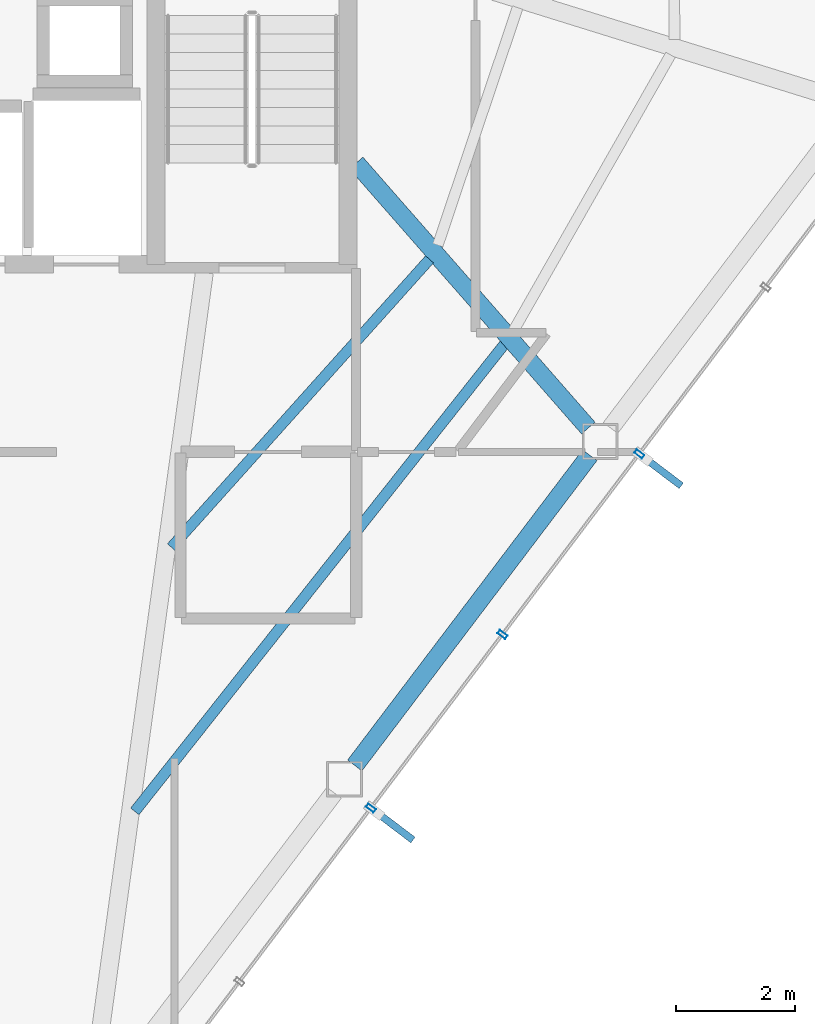
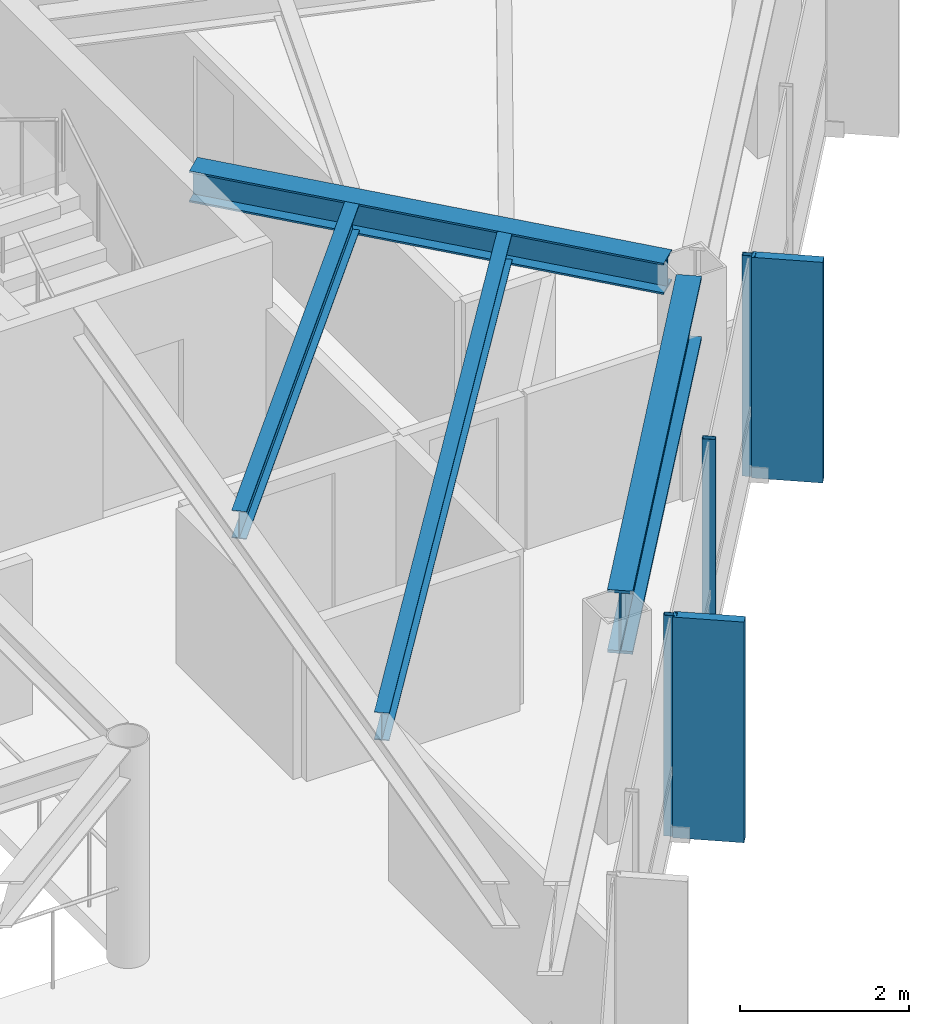
# One storey, part 17 of 27: 5 members, 4 beams, 1 element without a shape of its own.
"""IFC4 building model written with IfcOpenShell, lengths in metres."""

from ifc_helpers import new_model, si_unit, direction, frame, origin, origin_2d, place, context, subcontext, project, spatial, rectangle, hollow_rectangle, i_section, extrude, material, layer, layer_set, material_profile, profile_set, type_object, element, aggregate, save


model = new_model("IFC4")

# Units and contexts
model_context = context("Model", 3, precision=1e-05, world=origin(), true_north=direction((0.0, 1.0)))
body_context = subcontext(model_context, "Body", "Model", "MODEL_VIEW")
ifc_project = project(units=[si_unit("LENGTHUNIT", "METRE"), si_unit("AREAUNIT", "SQUARE_METRE"), si_unit("VOLUMEUNIT", "CUBIC_METRE"), si_unit("PLANEANGLEUNIT", "RADIAN"), si_unit("MASSUNIT", "GRAM", prefix="KILO")], contexts=[model_context])

# Site, building, storey
site_placement = place(None, origin())
site = spatial("IfcSite", under=ifc_project, at=site_placement, CompositionType="ELEMENT")
building_placement = place(site_placement, origin())
building = spatial("IfcBuilding", under=site, at=building_placement, Name="Zarrinselat Tower", CompositionType="ELEMENT")
storey_placement = place(building_placement, frame((0.0, 0.0, 229.159912109375)))
storey = spatial("IfcBuildingStorey", under=building, at=storey_placement, Name="L57", CompositionType="ELEMENT", Elevation=229.159912109375)

# Beams
ifc_material_1 = material(Name="Steel S355J2", Category="steel")
ifc_material_profile_1 = material_profile(ifc_material_1, i_section(OverallWidth=0.300048828125, OverallDepth=0.449951171875, WebThickness=0.013916015625, FlangeThickness=0.02587890625, at=origin_2d()), Name="HEB 450")
ifc_profile_set_1 = profile_set([ifc_material_profile_1], Name="Steel S355J2")
beam_type_1 = type_object("IfcBeamType", Name="BM-HEB450", PredefinedType="BEAM", material=ifc_profile_set_1)
beam_1_placement = place(storey_placement, frame((48.35009765625, 35.0, 2.955078125), z_axis=(0.658866826236, -0.752259599663, 0.0), x_axis=(0.752259599663, 0.658866826236, 0.0)))
element("IfcBeam", 1, at=beam_1_placement, inside=storey, type_object=beam_type_1, Name="L57 Radial Primary Girder RG13", PredefinedType="BEAM", context=body_context, shape_type="SweptSolid", body=[
    extrude(i_section(OverallWidth=0.300048828125, OverallDepth=0.449951171875, WebThickness=0.013916015625, FlangeThickness=0.02587890625, at=origin_2d()), origin(), (0.0, 0.0, 1.0), 5.915771484375),
])
ifc_material_2 = material(Name="Steel S460M", Category="steel")
ifc_material_profile_2 = material_profile(ifc_material_2, i_section(OverallWidth=0.302001953125, OverallDepth=0.909912109375, WebThickness=0.02099609375, FlangeThickness=0.0400390625, at=origin_2d()), Name="HEM 900")
ifc_profile_set_2 = profile_set([ifc_material_profile_2], Name="Steel S460M")
beam_type_2 = type_object("IfcBeamType", Name="BM-HEM900", PredefinedType="BEAM", material=ifc_profile_set_2)
beam_2_placement = place(storey_placement, frame((48.32568359375, 24.8828125, 2.72509765625), z_axis=(0.603871350868, 0.797081797308, 0.0), x_axis=(-0.797081797308, 0.603871350868, 0.0)))
element("IfcBeam", 2, at=beam_2_placement, inside=storey, type_object=beam_type_2, Name="L57 Perimeter Spandrel Girder SP12", PredefinedType="BEAM", context=body_context, shape_type="SweptSolid", body=[
    extrude(i_section(OverallWidth=0.302001953125, OverallDepth=0.909912109375, WebThickness=0.02099609375, FlangeThickness=0.0400390625, at=origin_2d()), origin(), (0.0, 0.0, 1.0), 6.53662109375),
])
ifc_material_3 = material(Name="Steel S355J2", Category="steel")
ifc_material_profile_3 = material_profile(ifc_material_3, i_section(OverallWidth=0.179931640625, OverallDepth=0.39990234375, WebThickness=0.008544921875, FlangeThickness=0.013427734375, at=origin_2d()), Name="IPE 400")
ifc_profile_set_3 = profile_set([ifc_material_profile_3], Name="Steel S355J2")
beam_type_3 = type_object("IfcBeamType", Name="BM-IPE400", PredefinedType="JOIST", material=ifc_profile_set_3)
beam_3_placement = place(storey_placement, frame((44.631591796875, 24.111083984375, 2.97998046875), z_axis=(0.620457764477, 0.784239862861, 0.0), x_axis=(-0.784239862861, 0.620457764477, 0.0)))
element("IfcBeam", 3, at=beam_3_placement, inside=storey, type_object=beam_type_3, Name="L57 Composite Floor Joist 3-1", PredefinedType="JOIST", context=body_context, shape_type="SweptSolid", body=[
    extrude(i_section(OverallWidth=0.179931640625, OverallDepth=0.39990234375, WebThickness=0.008544921875, FlangeThickness=0.013427734375, at=origin_2d()), origin(), (0.0, 0.0, 1.0), 9.999267578125),
])
beam_4_placement = place(storey_placement, frame((45.246826171875, 28.546142578125, 2.97998046875), z_axis=(0.667447281069, 0.744657053276, 0.0), x_axis=(-0.744657053276, 0.667447281069, 0.0)))
element("IfcBeam", 4, at=beam_4_placement, inside=storey, type_object=beam_type_3, Name="L57 Composite Floor Joist 3-2", PredefinedType="JOIST", context=body_context, shape_type="SweptSolid", body=[
    extrude(i_section(OverallWidth=0.179931640625, OverallDepth=0.39990234375, WebThickness=0.008544921875, FlangeThickness=0.013427734375, at=origin_2d()), origin(), (0.0, 0.0, 1.0), 6.494873046875),
])

# Curtain wall, members
ifc_material_4 = material(Name="Extruded Aluminium Alloy EN AW-6063 T6", Category="aluminium")
ifc_layer = layer(ifc_material_4, 0.169921875)
ifc_layer_set = layer_set([ifc_layer], Name="Extruded Aluminium Alloy EN AW-6063 T6")
curtain_wall_type = type_object("IfcCurtainWallType", Name="CWS-RES", PredefinedType="NOTDEFINED", material=ifc_layer_set)
curtain_wall_placement = place(storey_placement, origin())
curtain_wall = element("IfcCurtainWall", 5, at=curtain_wall_placement, inside=storey, type_object=curtain_wall_type, Name="L57 Unitised Curtain Wall CW-L57-E05", PredefinedType="NOTDEFINED")
ifc_material_5 = material(Name="Extruded Aluminium Alloy EN AW-6063 T6", Category="aluminium")
ifc_material_profile_4 = material_profile(ifc_material_5, hollow_rectangle(XDim=0.070068359375, YDim=0.159912109375, WallThickness=0.00390625, at=origin_2d()), Name="RHS 160x70x4")
ifc_profile_set_4 = profile_set([ifc_material_profile_4], Name="Extruded Aluminium Alloy EN AW-6063 T6")
member_type_1 = type_object("IfcMemberType", Name="MEM-CW-MUL2", PredefinedType="MULLION", material=ifc_profile_set_4)
member_1_placement = place(storey_placement, frame((48.597900390625, 24.165771484375, 0.0), z_axis=(0.0, 0.0, 1.0), x_axis=(0.603858872188, 0.797091251037, 0.0)))
member_1 = element("IfcMember", 6, at=member_1_placement, type_object=member_type_1, Name="CW-L57-E05 Mullion 3", PredefinedType="MULLION", context=body_context, shape_type="SweptSolid", body=[
    extrude(hollow_rectangle(XDim=0.070068359375, YDim=0.159912109375, WallThickness=0.00390625, at=origin_2d()), origin(), (0.0, 0.0, 1.0), 3.18017578125),
])
member_2_placement = place(storey_placement, frame((50.806884765625, 27.081787109375, 0.0), z_axis=(0.0, 0.0, 1.0), x_axis=(0.603858872188, 0.797091251037, 0.0)))
member_2 = element("IfcMember", 7, at=member_2_placement, type_object=member_type_1, Name="CW-L57-E05 Mullion 4", PredefinedType="MULLION", context=body_context, shape_type="SweptSolid", body=[
    extrude(hollow_rectangle(XDim=0.070068359375, YDim=0.159912109375, WallThickness=0.00390625, at=origin_2d()), origin(), (0.0, 0.0, 1.0), 3.18017578125),
])
member_3_placement = place(storey_placement, frame((53.10400390625, 30.11376953125, 0.0), z_axis=(0.0, 0.0, 1.0), x_axis=(0.603858872188, 0.797091251037, 0.0)))
member_3 = element("IfcMember", 8, at=member_3_placement, type_object=member_type_1, Name="CW-L57-E05 Mullion 5", PredefinedType="MULLION", context=body_context, shape_type="SweptSolid", body=[
    extrude(hollow_rectangle(XDim=0.070068359375, YDim=0.159912109375, WallThickness=0.00390625, at=origin_2d()), origin(), (0.0, 0.0, 1.0), 3.18017578125),
])
ifc_material_6 = material(Name="Honed Cream Travertine Stone", Category="masonry")
ifc_material_profile_5 = material_profile(ifc_material_6, rectangle(XDim=0.1201171875, YDim=0.85009765625, at=origin_2d()), Name="FIN 850x120")
ifc_profile_set_5 = profile_set([ifc_material_profile_5], Name="Honed Cream Travertine Stone")
member_type_2 = type_object("IfcMemberType", Name="MEM-STONE-FIN", PredefinedType="USERDEFINED", material=ifc_profile_set_5)
member_4_placement = place(storey_placement, frame((48.964599609375, 23.887939453125, 0.0), z_axis=(0.0, 0.0, 1.0), x_axis=(-0.603858872188, -0.797091251037, 0.0)))
member_4 = element("IfcMember", 9, at=member_4_placement, type_object=member_type_2, Name="L57 Stone Shading Fin CW-L57-E05-03", ObjectType="FIN", PredefinedType="USERDEFINED", context=body_context, shape_type="SweptSolid", body=[
    extrude(rectangle(XDim=0.1201171875, YDim=0.85009765625, at=origin_2d()), origin(), (0.0, 0.0, 1.0), 3.18017578125),
])
member_5_placement = place(storey_placement, frame((53.470703125, 29.8359375, 0.0), z_axis=(0.0, 0.0, 1.0), x_axis=(-0.603858872188, -0.797091251037, 0.0)))
member_5 = element("IfcMember", 10, at=member_5_placement, type_object=member_type_2, Name="L57 Stone Shading Fin CW-L57-E05-05", ObjectType="FIN", PredefinedType="USERDEFINED", context=body_context, shape_type="SweptSolid", body=[
    extrude(rectangle(XDim=0.1201171875, YDim=0.85009765625, at=origin_2d()), origin(), (0.0, 0.0, 1.0), 3.18017578125),
])
aggregate(curtain_wall, [member_1, member_4, member_2, member_3, member_5])

save(model, "model.ifc")
